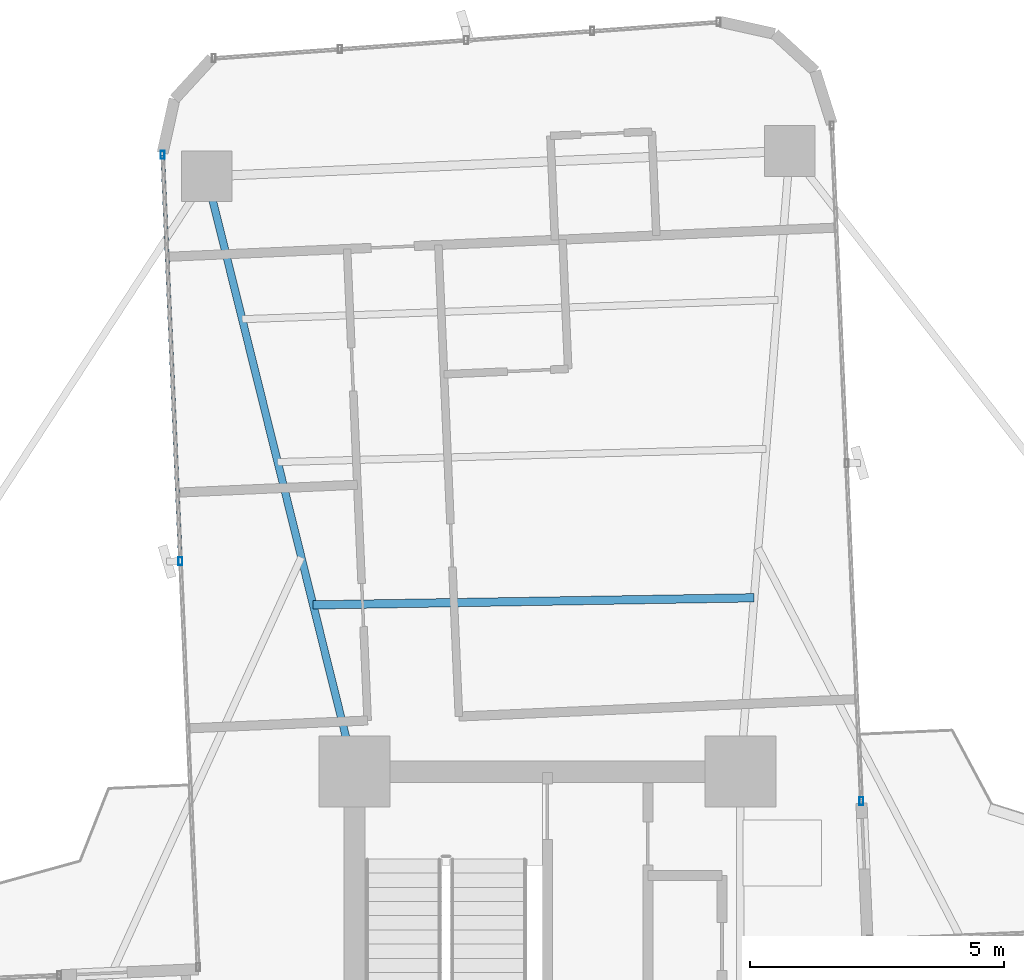
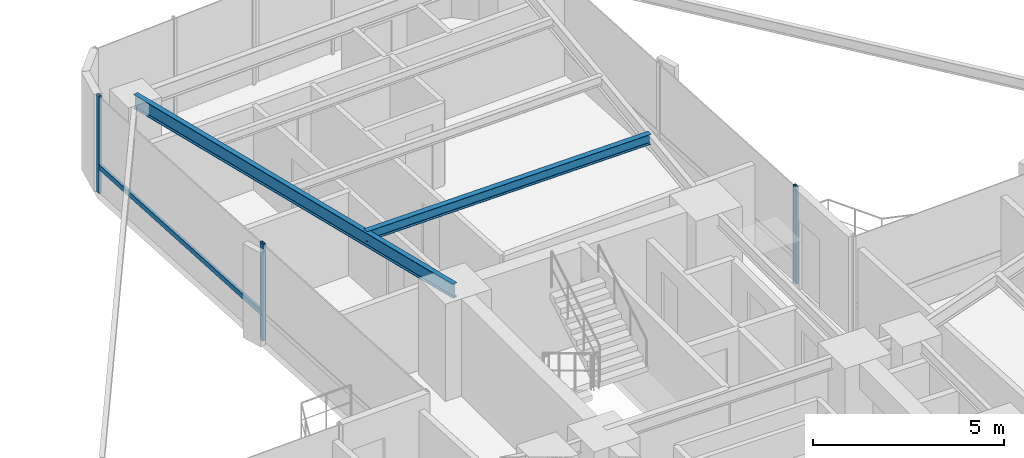
# One storey, part 17 of 26: 4 members, 2 beams, 2 elements without a shape of their own.
"""IFC4 building model written with IfcOpenShell, lengths in metres."""

from ifc_helpers import new_model, si_unit, direction, frame, origin, origin_2d, place, context, subcontext, project, spatial, hollow_rectangle, i_section, extrude, source, transform, mapped, material, material_profile, profile_set, type_object, element, aggregate, save


model = new_model("IFC4")

# Units and contexts
model_context = context("Model", 3, precision=1e-05, world=origin(), true_north=direction((0.0, 1.0)))
body_context = subcontext(model_context, "Body", "Model", "MODEL_VIEW")
ifc_project = project(units=[si_unit("LENGTHUNIT", "METRE"), si_unit("AREAUNIT", "SQUARE_METRE"), si_unit("VOLUMEUNIT", "CUBIC_METRE"), si_unit("PLANEANGLEUNIT", "RADIAN"), si_unit("MASSUNIT", "GRAM", prefix="KILO")], contexts=[model_context])

# Site, building, storey
site_placement = place(None, origin())
site = spatial("IfcSite", under=ifc_project, at=site_placement, CompositionType="ELEMENT")
building_placement = place(site_placement, origin())
building = spatial("IfcBuilding", under=site, at=building_placement, Name="Sahyath Konkavel Grand Hotel", CompositionType="ELEMENT")
storey_placement = place(building_placement, frame((0.0, 0.0, 100.25)))
storey = spatial("IfcBuildingStorey", under=building, at=storey_placement, Name="L27", CompositionType="ELEMENT", Elevation=100.25)

# Beams
ifc_material_1 = material(Name="Steel E350", Category="steel")
ifc_material_profile_1 = material_profile(ifc_material_1, i_section(OverallWidth=0.14990234375, OverallDepth=0.449951171875, WebThickness=0.009521484375, FlangeThickness=0.017333984375, FilletRadius=0.014892578125, at=origin_2d()), Name="ISMB 450")
ifc_profile_set_1 = profile_set([ifc_material_profile_1], Name="Steel E350")
beam_type_1 = type_object("IfcBeamType", Name="BM-ISMB450", PredefinedType="BEAM", material=ifc_profile_set_1)
shared_shape_1 = source(origin(), body_context, "Body", "SweptSolid", [
    extrude(i_section(OverallWidth=0.14990234375, OverallDepth=0.449951171875, WebThickness=0.009521484375, FlangeThickness=0.017333984375, FilletRadius=0.014892578125, at=origin_2d()), origin(), (0.0, 0.0, 1.0), 12.084228515625),
])
beam_1_placement = place(storey_placement, frame((-3.800048828125, 10.199951171875, 2.885009765625), z_axis=(-0.241042688481, 0.970514514229, 0.0), x_axis=(-0.970514514229, -0.241042688481, 0.0)))
element("IfcBeam", 1, at=beam_1_placement, inside=storey, type_object=beam_type_1, Name="L27 Cruciform Radial Girder NB", PredefinedType="BEAM", context=body_context, shape_type="MappedRepresentation", body=[
    mapped(shared_shape_1, transform((0.0, 0.0, 0.0), scale=1.0)),
])
ifc_material_profile_2 = material_profile(ifc_material_1, i_section(OverallWidth=0.1650390625, OverallDepth=0.324951171875, WebThickness=0.007080078125, FlangeThickness=0.009765625, FilletRadius=0.014892578125, at=origin_2d()), Name="ISLB 325")
ifc_profile_set_2 = profile_set([ifc_material_profile_2], Name="Steel E350")
beam_type_2 = type_object("IfcBeamType", Name="BM-ISLB325", PredefinedType="BEAM", material=ifc_profile_set_2)
shared_shape_2 = source(origin(), body_context, "Body", "SweptSolid", [
    extrude(i_section(OverallWidth=0.1650390625, OverallDepth=0.324951171875, WebThickness=0.007080078125, FlangeThickness=0.009765625, FilletRadius=0.014892578125, at=origin_2d()), origin(), (0.0, 0.0, 1.0), 8.68994140625),
])
beam_2_placement = place(storey_placement, frame((4.0732421875, 13.624267578125, 2.947509765625), z_axis=(-0.999869506431, -0.016154569283, 0.0), x_axis=(0.016154569283, -0.999869506431, 0.0)))
element("IfcBeam", 2, at=beam_2_placement, inside=storey, type_object=beam_type_2, Name="L27 Secondary Floor Beam N-1", PredefinedType="BEAM", context=body_context, shape_type="MappedRepresentation", body=[
    mapped(shared_shape_2, transform((0.0, 0.0, 0.0), scale=1.0)),
])

# Curtain wall, member
ifc_material_2 = material(Name="Anodised Bronze Aluminium & Low-E Glazing", Category="aluminium")
curtain_wall_type = type_object("IfcCurtainWallType", Name="CW-ZONE2", PredefinedType="NOTDEFINED", material=ifc_material_2)
curtain_wall_1_placement = place(storey_placement, origin())
curtain_wall_1 = element("IfcCurtainWall", 3, at=curtain_wall_1_placement, inside=storey, type_object=curtain_wall_type, Name="L27 Unitised Curtain Wall F8", PredefinedType="NOTDEFINED")
ifc_material_3 = material(Name="Anodised Bronze Aluminium", Category="aluminium")
ifc_material_profile_3 = material_profile(ifc_material_3, hollow_rectangle(XDim=0.080078125, YDim=0.159912109375, WallThickness=0.006103515625, at=origin_2d()), Name="RHS 160x80x6")
ifc_profile_set_3 = profile_set([ifc_material_profile_3], Name="Anodised Bronze Aluminium")
member_type_1 = type_object("IfcMemberType", Name="CW-MUL-160", PredefinedType="MULLION", material=ifc_profile_set_3)
shared_shape_3 = source(origin(), body_context, "Body", "SweptSolid", [
    extrude(hollow_rectangle(XDim=0.080078125, YDim=0.159912109375, WallThickness=0.006103515625, at=origin_2d()), origin(), (0.0, 0.0, 1.0), 3.110107421875),
])
member_1_placement = place(storey_placement, frame((6.186279296875, 9.618896484375, 0.0), z_axis=(0.0, 0.0, 1.0), x_axis=(1.0, 0.0, 0.0)))
member_1 = element("IfcMember", 4, at=member_1_placement, type_object=member_type_1, Name="L27 Curtain Wall Mullion F8-0", PredefinedType="MULLION", context=body_context, shape_type="MappedRepresentation", body=[
    mapped(shared_shape_3, transform((0.0, 0.0, 0.0), scale=1.0)),
])
aggregate(curtain_wall_1, [member_1])

# Curtain wall, members
curtain_wall_2_placement = place(storey_placement, origin())
curtain_wall_2 = element("IfcCurtainWall", 5, at=curtain_wall_2_placement, inside=storey, type_object=curtain_wall_type, Name="L27 Unitised Curtain Wall F15", PredefinedType="NOTDEFINED")
member_2_placement = place(storey_placement, frame((-7.582275390625, 22.3505859375, 0.0), z_axis=(0.0, 0.0, 1.0), x_axis=(1.0, 0.0, 0.0)))
member_2 = element("IfcMember", 6, at=member_2_placement, type_object=member_type_1, Name="L27 Curtain Wall Mullion F15-0", PredefinedType="MULLION", context=body_context, shape_type="MappedRepresentation", body=[
    mapped(shared_shape_3, transform((0.0, 0.0, 0.0), scale=1.0)),
])
member_3_placement = place(storey_placement, frame((-7.232666015625, 14.34814453125, 0.0), z_axis=(0.0, 0.0, 1.0), x_axis=(1.0, 0.0, 0.0)))
member_3 = element("IfcMember", 7, at=member_3_placement, type_object=member_type_1, Name="L27 Curtain Wall Mullion F15-1", PredefinedType="MULLION", context=body_context, shape_type="MappedRepresentation", body=[
    mapped(shared_shape_3, transform((0.0, 0.0, 0.0), scale=1.0)),
])
ifc_material_profile_4 = material_profile(ifc_material_3, hollow_rectangle(XDim=0.080078125, YDim=0.159912109375, WallThickness=0.006103515625, at=origin_2d()), Name="RHS 160x80x6")
ifc_profile_set_4 = profile_set([ifc_material_profile_4], Name="Anodised Bronze Aluminium")
member_type_2 = type_object("IfcMemberType", Name="CW-TRN-160", PredefinedType="USERDEFINED", material=ifc_profile_set_4)
shared_shape_4 = source(origin(), body_context, "Body", "SweptSolid", [
    extrude(hollow_rectangle(XDim=0.080078125, YDim=0.159912109375, WallThickness=0.006103515625, at=origin_2d()), origin(), (0.0, 0.0, 1.0), 8.010009765625),
])
member_4_placement = place(storey_placement, frame((-7.582275390625, 22.3505859375, 0.85009765625), z_axis=(0.043646207089, -0.999047050247, 0.0), x_axis=(0.999047050247, 0.043646207089, 0.0)))
member_4 = element("IfcMember", 8, at=member_4_placement, type_object=member_type_2, Name="L27 Curtain Wall Transom F15-0-spandrel", ObjectType="TRANSOM", PredefinedType="USERDEFINED", context=body_context, shape_type="MappedRepresentation", body=[
    mapped(shared_shape_4, transform((0.0, 0.0, 0.0), scale=1.0)),
])
aggregate(curtain_wall_2, [member_2, member_3, member_4])

save(model, "model.ifc")
